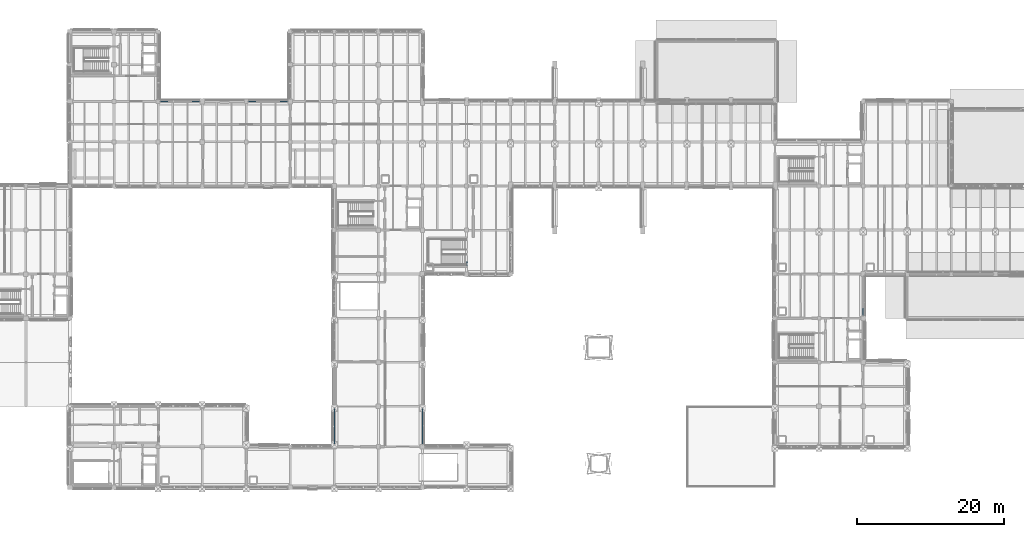
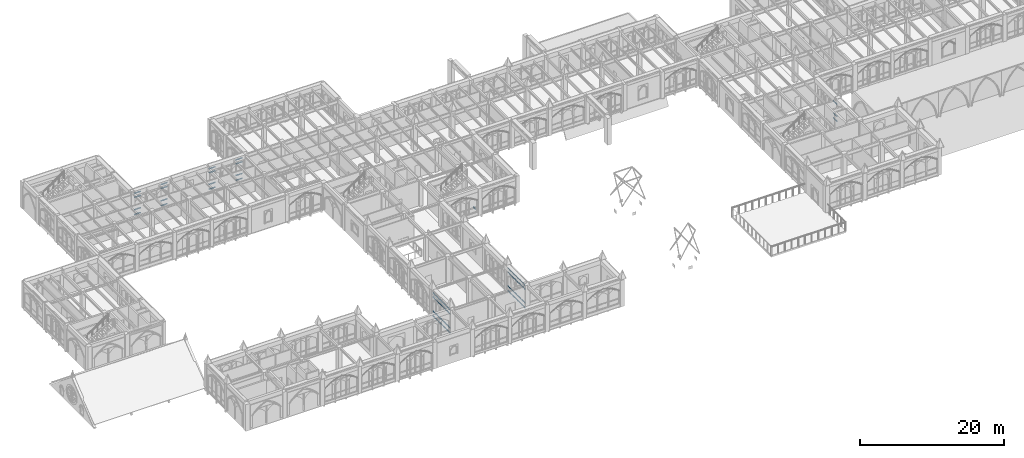
# One storey, part 81 of 143: 59 members, 1 beam, 5 elements without a shape of their own.
"""IFC4 building model written with IfcOpenShell, lengths in metres."""

import ifcopenshell
import ifcopenshell.guid

model = None  # the IFC model being written
_history = None  # IfcOwnerHistory: only IFC2X3 demands one
_inside = {}  # id of a spatial element -> (the spatial element, [elements in it])
_under = {}  # id of a project, library or spatial element -> (it, [spatial elements below it])
_declared = {}  # id of a project -> (the project, [libraries it declares])
_typed = {}  # id of a type object -> (the type object, [elements of that type])
_made_of = {}  # id of a material, layer set ... -> (it, [elements and type objects made of it])


def new_model(schema):
    """Start an empty IFC model of exactly this schema.

    Asked for "IFC4X3", IfcOpenShell would pick the latest addendum, in which some entities
    have other attributes; the version numbers below select the first issue.
    IFC2X3 requires an IfcOwnerHistory on every rooted entity: one is made here for all.
    """
    global model, _history
    if schema == "IFC4X3":
        model = ifcopenshell.file(schema_version=(4, 3, 0, 0))
    else:
        model = ifcopenshell.file(schema=schema)
    _inside.clear()
    _under.clear()
    _declared.clear()
    _typed.clear()
    _made_of.clear()
    _history = None
    if model.schema == "IFC2X3":
        org = make("IfcOrganization", Name="unknown")
        user = make(
            "IfcPersonAndOrganization",
            ThePerson=make("IfcPerson", FamilyName="unknown"),
            TheOrganization=org,
        )
        app = make(
            "IfcApplication",
            ApplicationDeveloper=org,
            Version="unknown",
            ApplicationFullName="unknown",
            ApplicationIdentifier="unknown",
        )
        _history = make(
            "IfcOwnerHistory",
            OwningUser=user,
            OwningApplication=app,
            ChangeAction="ADDED",
            CreationDate=0,
        )
    return model


def make(cls, **values):
    """One entity of the class cls with the attributes given. An attribute that is None is left unset."""
    return model.create_entity(
        cls, **{name: value for name, value in values.items() if value is not None}
    )


def rooted(cls, **values):
    """An entity with a GlobalId (a new one), such as an element, a storey or a relation."""
    return make(cls, GlobalId=ifcopenshell.guid.new(), OwnerHistory=_history, **values)


def si_unit(unit_type, name, prefix=None):
    """IfcSIUnit, for example si_unit("LENGTHUNIT", "METRE", prefix="MILLI")."""
    return make("IfcSIUnit", UnitType=unit_type, Prefix=prefix, Name=name)


def assignment(units):
    """IfcUnitAssignment: the units of a project."""
    return None if units is None else make("IfcUnitAssignment", Units=units)


def point(xyz):
    """IfcCartesianPoint."""
    return None if xyz is None else make("IfcCartesianPoint", Coordinates=xyz)


def direction(xyz):
    """IfcDirection."""
    return None if xyz is None else make("IfcDirection", DirectionRatios=xyz)


def frame(location, z_axis=None, x_axis=None):
    """IfcAxis2Placement3D, a coordinate frame: its origin and axes. An axis left out is left unset."""
    return make(
        "IfcAxis2Placement3D",
        Location=point(location),
        Axis=direction(z_axis),
        RefDirection=direction(x_axis),
    )


def frame_2d(location, x_axis=None):
    """IfcAxis2Placement2D, a coordinate frame in the plane: its origin and x axis."""
    return make(
        "IfcAxis2Placement2D", Location=point(location), RefDirection=direction(x_axis)
    )


def origin():
    """The frame at (0, 0, 0) with its axes left unset."""
    return frame((0.0, 0.0, 0.0))


def origin_2d():
    """The frame at (0, 0) in the plane with its x axis left unset."""
    return frame_2d((0.0, 0.0))


def place(relative_to, where):
    """IfcLocalPlacement: puts the frame where relative to a parent placement (None: the world)."""
    return make(
        "IfcLocalPlacement", PlacementRelTo=relative_to, RelativePlacement=where
    )


def context(
    kind, dimensions, precision=None, world=None, true_north=None, identifier=None
):
    """IfcGeometricRepresentationContext, for example the 3D "Model" context."""
    return make(
        "IfcGeometricRepresentationContext",
        ContextIdentifier=identifier,
        ContextType=kind,
        CoordinateSpaceDimension=dimensions,
        Precision=precision,
        WorldCoordinateSystem=world,
        TrueNorth=true_north,
    )


def subcontext(parent, identifier, kind, view, scale=None):
    """IfcGeometricRepresentationSubContext, for example "Body" below "Model"."""
    return make(
        "IfcGeometricRepresentationSubContext",
        ContextIdentifier=identifier,
        ContextType=kind,
        ParentContext=parent,
        TargetScale=scale,
        TargetView=view,
    )


def project(units=None, contexts=None):
    """IfcProject with its units and contexts."""
    return rooted(
        "IfcProject",
        Name="project",
        RepresentationContexts=contexts,
        UnitsInContext=assignment(units),
    )


def spatial(cls, under=None, at=None, **own):
    """A site, building, storey or space (cls), placed at a placement, below another one or the project."""
    s = rooted(cls, ObjectPlacement=at, **own)
    if under is not None:
        _under.setdefault(under.id(), (under, []))[1].append(s)
    return s


def profile(cls, at=None, kind="AREA", **sizes):
    """A parametric profile (cls). Its sizes go by their IFC names, for example OverallWidth=200.0."""
    return make(cls, ProfileType=kind, Position=at, **sizes)


def hollow_rectangle(**sizes):
    """IfcRectangleHollowProfileDef."""
    return profile("IfcRectangleHollowProfileDef", **sizes)


def i_section(**sizes):
    """IfcIShapeProfileDef."""
    return profile("IfcIShapeProfileDef", **sizes)


def extrude(swept, where, along, depth):
    """IfcExtrudedAreaSolid: the profile swept, set in the frame where, extruded along a direction by depth."""
    return make(
        "IfcExtrudedAreaSolid",
        SweptArea=swept,
        Position=where,
        ExtrudedDirection=direction(along),
        Depth=depth,
    )


def shape(context_of_items, identifier, shape_type, items):
    """IfcShapeRepresentation: the items that make up one representation, for example the "Body"."""
    return make(
        "IfcShapeRepresentation",
        ContextOfItems=context_of_items,
        RepresentationIdentifier=identifier,
        RepresentationType=shape_type,
        Items=items,
    )


def material(Name=None, Category=None):
    """IfcMaterial."""
    return make("IfcMaterial", Name=Name, Category=Category)


def layer(
    of_material, thickness, ventilated=None, Name=None, Category=None, Priority=None
):
    """IfcMaterialLayer: one layer of a wall or slab, of a material (None: an air gap)."""
    return make(
        "IfcMaterialLayer",
        Material=of_material,
        LayerThickness=thickness,
        IsVentilated=ventilated,
        Name=Name,
        Category=Category,
        Priority=Priority,
    )


def layer_set(layers, Name=None):
    """IfcMaterialLayerSet."""
    return make("IfcMaterialLayerSet", MaterialLayers=layers, LayerSetName=Name)


def material_profile(
    of_material, cross_section, Name=None, Category=None, Priority=None
):
    """IfcMaterialProfile: a cross section and its material."""
    return make(
        "IfcMaterialProfile",
        Name=Name,
        Material=of_material,
        Profile=cross_section,
        Priority=Priority,
        Category=Category,
    )


def profile_set(profiles, Name=None, composite=None):
    """IfcMaterialProfileSet."""
    return make(
        "IfcMaterialProfileSet",
        Name=Name,
        MaterialProfiles=profiles,
        CompositeProfile=composite,
    )


def made_of(thing, what):
    """Note that an element or type object is made of a material, layer set ...; save() writes the relation."""
    if what is not None:
        _made_of.setdefault(what.id(), (what, []))[1].append(thing)
    return thing


def type_object(cls, material=None, **own):
    """A type object (cls), such as IfcWallType, which elements share."""
    return made_of(rooted(cls, **own), material)


def element(
    cls,
    number,
    at=None,
    inside=None,
    cuts=None,
    type_object=None,
    material=None,
    context=None,
    identifier="Body",
    shape_type=None,
    held_by="IfcProductDefinitionShape",
    body=None,
    shapes=None,
    **own,
):
    """One element of the class cls, such as IfcWall. Its Tag is "e" and its number.

    at: its placement. inside: the storey or other place that contains it. cuts: it is an
    opening in that element (IfcRelVoidsElement). A single representation is given by context,
    identifier, shape_type and body (its items); several are given by shapes. held_by: the class
    of the entity that holds the representations. save() writes the other relations.
    """
    e = rooted(cls, Tag="e%d" % number, ObjectPlacement=at, **own)
    if body is not None:
        shapes = [shape(context, identifier, shape_type, body)]
    if shapes is not None:
        e.Representation = make(held_by, Representations=shapes)
    if inside is not None:
        _inside.setdefault(inside.id(), (inside, []))[1].append(e)
    if cuts is not None:
        rooted(
            "IfcRelVoidsElement", RelatingBuildingElement=cuts, RelatedOpeningElement=e
        )
    if type_object is not None:
        _typed.setdefault(type_object.id(), (type_object, []))[1].append(e)
    return made_of(e, material)


def aggregate(whole, parts):
    """IfcRelAggregates: a whole, such as a stair, and the parts it consists of."""
    return rooted("IfcRelAggregates", RelatingObject=whole, RelatedObjects=parts)


def save(model, path):
    """Write the relations noted so far, then the file.

    IfcRelAggregates (storeys below a building ...), IfcRelContainedInSpatialStructure (elements
    in a storey), IfcRelDefinesByType, IfcRelAssociatesMaterial and IfcRelDeclares: one each for
    every whole, place, type object, material and project.
    """
    for whole, parts in _under.values():
        aggregate(whole, parts)
    for where, things in _inside.values():
        rooted(
            "IfcRelContainedInSpatialStructure",
            RelatedElements=things,
            RelatingStructure=where,
        )
    for kind, things in _typed.values():
        rooted("IfcRelDefinesByType", RelatedObjects=things, RelatingType=kind)
    for what, things in _made_of.values():
        rooted("IfcRelAssociatesMaterial", RelatedObjects=things, RelatingMaterial=what)
    for by, libraries in _declared.values():
        rooted("IfcRelDeclares", RelatingContext=by, RelatedDefinitions=libraries)
    model.write(path)


model = new_model("IFC4")

# Units and contexts
model_context = context("Model", 3, precision=1e-05, world=origin(), true_north=direction((0.0, 1.0)))
body_context = subcontext(model_context, "Body", "Model", "MODEL_VIEW")
ifc_project = project(units=[si_unit("LENGTHUNIT", "METRE"), si_unit("AREAUNIT", "SQUARE_METRE"), si_unit("VOLUMEUNIT", "CUBIC_METRE"), si_unit("PLANEANGLEUNIT", "RADIAN"), si_unit("MASSUNIT", "GRAM", prefix="KILO")], contexts=[model_context])

# Site, building, storey
site_placement = place(None, origin())
site = spatial("IfcSite", under=ifc_project, at=site_placement, CompositionType="ELEMENT")
building_placement = place(site_placement, origin())
building = spatial("IfcBuilding", under=site, at=building_placement, Name="Cumevento Cable Car Station", CompositionType="ELEMENT")
storey_placement = place(building_placement, frame((0.0, 0.0, 9.0)))
storey = spatial("IfcBuildingStorey", under=building, at=storey_placement, Name="L03", CompositionType="ELEMENT", Elevation=9.0)

# Curtain wall, members
ifc_material_1 = material(Name="Anodised Bronze Aluminium AW-6063-T6", Category="aluminium")
ifc_layer_1 = layer(ifc_material_1, 0.159912109375)
ifc_layer_set_1 = layer_set([ifc_layer_1], Name="Anodised Bronze Aluminium AW-6063-T6")
curtain_wall_type_1 = type_object("IfcCurtainWallType", Name="Lancet Curtain Wall CW-01 1050", PredefinedType="NOTDEFINED", material=ifc_layer_set_1)
curtain_wall_1_placement = place(storey_placement, origin())
curtain_wall_1 = element("IfcCurtainWall", 1, at=curtain_wall_1_placement, inside=storey, type_object=curtain_wall_type_1, Name="Lancet Curtain Wall CW-01 L03 #80", PredefinedType="NOTDEFINED")
ifc_material_2 = material(Name="Anodised Bronze Aluminium AW-6063-T6", Category="aluminium")
ifc_material_profile_1 = material_profile(ifc_material_2, hollow_rectangle(XDim=0.06494140625, YDim=0.1201171875, WallThickness=0.00390625, at=origin_2d()), Name="ALUT65x120x4")
ifc_profile_set_1 = profile_set([ifc_material_profile_1], Name="Anodised Bronze Aluminium AW-6063-T6")
member_type = type_object("IfcMemberType", Name="Curtain Transom CWT-01 ALUT65x120x4", PredefinedType="USERDEFINED", material=ifc_profile_set_1)
member_1_placement = place(storey_placement, frame((58.0, 9.889892578125, 0.1923828125), z_axis=(0.0, 1.0, 0.0), x_axis=(-1.0, 0.0, 0.0)))
member_1 = element("IfcMember", 2, at=member_1_placement, type_object=member_type, Name="CW-01 transom 1.1", ObjectType="TRANSOM", PredefinedType="USERDEFINED", context=body_context, shape_type="SweptSolid", body=[
    extrude(hollow_rectangle(XDim=0.06494140625, YDim=0.1201171875, WallThickness=0.00390625, at=origin_2d()), origin(), (0.0, 0.0, 1.0), 0.8876953125),
])
member_2_placement = place(storey_placement, frame((58.0, 9.889892578125, 1.010009765625), z_axis=(0.0, 1.0, 0.0), x_axis=(-1.0, 0.0, 0.0)))
member_2 = element("IfcMember", 3, at=member_2_placement, type_object=member_type, Name="CW-01 transom 1.2", ObjectType="TRANSOM", PredefinedType="USERDEFINED", context=body_context, shape_type="SweptSolid", body=[
    extrude(hollow_rectangle(XDim=0.06494140625, YDim=0.1201171875, WallThickness=0.00390625, at=origin_2d()), origin(), (0.0, 0.0, 1.0), 0.8876953125),
])
member_3_placement = place(storey_placement, frame((58.0, 9.889892578125, 3.39306640625), z_axis=(0.0, 1.0, 0.0), x_axis=(-1.0, 0.0, 0.0)))
member_3 = element("IfcMember", 4, at=member_3_placement, type_object=member_type, Name="CW-01 transom 1.3", ObjectType="TRANSOM", PredefinedType="USERDEFINED", context=body_context, shape_type="SweptSolid", body=[
    extrude(hollow_rectangle(XDim=0.06494140625, YDim=0.1201171875, WallThickness=0.00390625, at=origin_2d()), origin(), (0.0, 0.0, 1.0), 0.8876953125),
])
member_4_placement = place(storey_placement, frame((58.0, 9.889892578125, 4.060546875), z_axis=(0.0, 1.0, 0.0), x_axis=(-1.0, 0.0, 0.0)))
member_4 = element("IfcMember", 5, at=member_4_placement, type_object=member_type, Name="CW-01 transom 1.4", ObjectType="TRANSOM", PredefinedType="USERDEFINED", context=body_context, shape_type="SweptSolid", body=[
    extrude(hollow_rectangle(XDim=0.06494140625, YDim=0.1201171875, WallThickness=0.00390625, at=origin_2d()), origin(), (0.0, 0.0, 1.0), 0.8876953125),
])
member_5_placement = place(storey_placement, frame((58.0, 10.842529296875, 0.1923828125), z_axis=(0.0, 1.0, 0.0), x_axis=(-1.0, 0.0, 0.0)))
member_5 = element("IfcMember", 6, at=member_5_placement, type_object=member_type, Name="CW-01 transom 2.1", ObjectType="TRANSOM", PredefinedType="USERDEFINED", context=body_context, shape_type="SweptSolid", body=[
    extrude(hollow_rectangle(XDim=0.06494140625, YDim=0.1201171875, WallThickness=0.00390625, at=origin_2d()), origin(), (0.0, 0.0, 1.0), 0.919921875),
])
member_6_placement = place(storey_placement, frame((58.0, 10.842529296875, 1.010009765625), z_axis=(0.0, 1.0, 0.0), x_axis=(-1.0, 0.0, 0.0)))
member_6 = element("IfcMember", 7, at=member_6_placement, type_object=member_type, Name="CW-01 transom 2.2", ObjectType="TRANSOM", PredefinedType="USERDEFINED", context=body_context, shape_type="SweptSolid", body=[
    extrude(hollow_rectangle(XDim=0.06494140625, YDim=0.1201171875, WallThickness=0.00390625, at=origin_2d()), origin(), (0.0, 0.0, 1.0), 0.919921875),
])
member_7_placement = place(storey_placement, frame((58.0, 10.842529296875, 3.39306640625), z_axis=(0.0, 1.0, 0.0), x_axis=(-1.0, 0.0, 0.0)))
member_7 = element("IfcMember", 8, at=member_7_placement, type_object=member_type, Name="CW-01 transom 2.3", ObjectType="TRANSOM", PredefinedType="USERDEFINED", context=body_context, shape_type="SweptSolid", body=[
    extrude(hollow_rectangle(XDim=0.06494140625, YDim=0.1201171875, WallThickness=0.00390625, at=origin_2d()), origin(), (0.0, 0.0, 1.0), 0.919921875),
])
member_8_placement = place(storey_placement, frame((58.0, 10.842529296875, 4.060546875), z_axis=(0.0, 1.0, 0.0), x_axis=(-1.0, 0.0, 0.0)))
member_8 = element("IfcMember", 9, at=member_8_placement, type_object=member_type, Name="CW-01 transom 2.4", ObjectType="TRANSOM", PredefinedType="USERDEFINED", context=body_context, shape_type="SweptSolid", body=[
    extrude(hollow_rectangle(XDim=0.06494140625, YDim=0.1201171875, WallThickness=0.00390625, at=origin_2d()), origin(), (0.0, 0.0, 1.0), 0.919921875),
])
member_9_placement = place(storey_placement, frame((58.0, 11.827392578125, 0.1923828125), z_axis=(0.0, 1.0, 0.0), x_axis=(-1.0, 0.0, 0.0)))
member_9 = element("IfcMember", 10, at=member_9_placement, type_object=member_type, Name="CW-01 transom 3.1", ObjectType="TRANSOM", PredefinedType="USERDEFINED", context=body_context, shape_type="SweptSolid", body=[
    extrude(hollow_rectangle(XDim=0.06494140625, YDim=0.1201171875, WallThickness=0.00390625, at=origin_2d()), origin(), (0.0, 0.0, 1.0), 0.920166015625),
])
member_10_placement = place(storey_placement, frame((58.0, 11.827392578125, 1.010009765625), z_axis=(0.0, 1.0, 0.0), x_axis=(-1.0, 0.0, 0.0)))
member_10 = element("IfcMember", 11, at=member_10_placement, type_object=member_type, Name="CW-01 transom 3.2", ObjectType="TRANSOM", PredefinedType="USERDEFINED", context=body_context, shape_type="SweptSolid", body=[
    extrude(hollow_rectangle(XDim=0.06494140625, YDim=0.1201171875, WallThickness=0.00390625, at=origin_2d()), origin(), (0.0, 0.0, 1.0), 0.920166015625),
])
member_11_placement = place(storey_placement, frame((58.0, 11.827392578125, 3.39306640625), z_axis=(0.0, 1.0, 0.0), x_axis=(-1.0, 0.0, 0.0)))
member_11 = element("IfcMember", 12, at=member_11_placement, type_object=member_type, Name="CW-01 transom 3.3", ObjectType="TRANSOM", PredefinedType="USERDEFINED", context=body_context, shape_type="SweptSolid", body=[
    extrude(hollow_rectangle(XDim=0.06494140625, YDim=0.1201171875, WallThickness=0.00390625, at=origin_2d()), origin(), (0.0, 0.0, 1.0), 0.920166015625),
])
member_12_placement = place(storey_placement, frame((58.0, 11.827392578125, 4.060546875), z_axis=(0.0, 1.0, 0.0), x_axis=(-1.0, 0.0, 0.0)))
member_12 = element("IfcMember", 13, at=member_12_placement, type_object=member_type, Name="CW-01 transom 3.4", ObjectType="TRANSOM", PredefinedType="USERDEFINED", context=body_context, shape_type="SweptSolid", body=[
    extrude(hollow_rectangle(XDim=0.06494140625, YDim=0.1201171875, WallThickness=0.00390625, at=origin_2d()), origin(), (0.0, 0.0, 1.0), 0.920166015625),
])
member_13_placement = place(storey_placement, frame((58.0, 12.8125, 0.1923828125), z_axis=(0.0, 1.0, 0.0), x_axis=(-1.0, 0.0, 0.0)))
member_13 = element("IfcMember", 14, at=member_13_placement, type_object=member_type, Name="CW-01 transom 4.1", ObjectType="TRANSOM", PredefinedType="USERDEFINED", context=body_context, shape_type="SweptSolid", body=[
    extrude(hollow_rectangle(XDim=0.06494140625, YDim=0.1201171875, WallThickness=0.00390625, at=origin_2d()), origin(), (0.0, 0.0, 1.0), 0.919921875),
])
member_14_placement = place(storey_placement, frame((58.0, 12.8125, 1.010009765625), z_axis=(0.0, 1.0, 0.0), x_axis=(-1.0, 0.0, 0.0)))
member_14 = element("IfcMember", 15, at=member_14_placement, type_object=member_type, Name="CW-01 transom 4.2", ObjectType="TRANSOM", PredefinedType="USERDEFINED", context=body_context, shape_type="SweptSolid", body=[
    extrude(hollow_rectangle(XDim=0.06494140625, YDim=0.1201171875, WallThickness=0.00390625, at=origin_2d()), origin(), (0.0, 0.0, 1.0), 0.919921875),
])
member_15_placement = place(storey_placement, frame((58.0, 12.8125, 3.39306640625), z_axis=(0.0, 1.0, 0.0), x_axis=(-1.0, 0.0, 0.0)))
member_15 = element("IfcMember", 16, at=member_15_placement, type_object=member_type, Name="CW-01 transom 4.3", ObjectType="TRANSOM", PredefinedType="USERDEFINED", context=body_context, shape_type="SweptSolid", body=[
    extrude(hollow_rectangle(XDim=0.06494140625, YDim=0.1201171875, WallThickness=0.00390625, at=origin_2d()), origin(), (0.0, 0.0, 1.0), 0.919921875),
])
member_16_placement = place(storey_placement, frame((58.0, 12.8125, 4.060546875), z_axis=(0.0, 1.0, 0.0), x_axis=(-1.0, 0.0, 0.0)))
member_16 = element("IfcMember", 17, at=member_16_placement, type_object=member_type, Name="CW-01 transom 4.4", ObjectType="TRANSOM", PredefinedType="USERDEFINED", context=body_context, shape_type="SweptSolid", body=[
    extrude(hollow_rectangle(XDim=0.06494140625, YDim=0.1201171875, WallThickness=0.00390625, at=origin_2d()), origin(), (0.0, 0.0, 1.0), 0.919921875),
])
member_17_placement = place(storey_placement, frame((58.0, 13.797607421875, 0.1923828125), z_axis=(0.0, 1.0, 0.0), x_axis=(-1.0, 0.0, 0.0)))
member_17 = element("IfcMember", 18, at=member_17_placement, type_object=member_type, Name="CW-01 transom 5.1", ObjectType="TRANSOM", PredefinedType="USERDEFINED", context=body_context, shape_type="SweptSolid", body=[
    extrude(hollow_rectangle(XDim=0.06494140625, YDim=0.1201171875, WallThickness=0.00390625, at=origin_2d()), origin(), (0.0, 0.0, 1.0), 0.887451171875),
])
member_18_placement = place(storey_placement, frame((58.0, 13.797607421875, 1.010009765625), z_axis=(0.0, 1.0, 0.0), x_axis=(-1.0, 0.0, 0.0)))
member_18 = element("IfcMember", 19, at=member_18_placement, type_object=member_type, Name="CW-01 transom 5.2", ObjectType="TRANSOM", PredefinedType="USERDEFINED", context=body_context, shape_type="SweptSolid", body=[
    extrude(hollow_rectangle(XDim=0.06494140625, YDim=0.1201171875, WallThickness=0.00390625, at=origin_2d()), origin(), (0.0, 0.0, 1.0), 0.887451171875),
])
member_19_placement = place(storey_placement, frame((58.0, 13.797607421875, 3.39306640625), z_axis=(0.0, 1.0, 0.0), x_axis=(-1.0, 0.0, 0.0)))
member_19 = element("IfcMember", 20, at=member_19_placement, type_object=member_type, Name="CW-01 transom 5.3", ObjectType="TRANSOM", PredefinedType="USERDEFINED", context=body_context, shape_type="SweptSolid", body=[
    extrude(hollow_rectangle(XDim=0.06494140625, YDim=0.1201171875, WallThickness=0.00390625, at=origin_2d()), origin(), (0.0, 0.0, 1.0), 0.887451171875),
])
member_20_placement = place(storey_placement, frame((58.0, 13.797607421875, 4.060546875), z_axis=(0.0, 1.0, 0.0), x_axis=(-1.0, 0.0, 0.0)))
member_20 = element("IfcMember", 21, at=member_20_placement, type_object=member_type, Name="CW-01 transom 5.4", ObjectType="TRANSOM", PredefinedType="USERDEFINED", context=body_context, shape_type="SweptSolid", body=[
    extrude(hollow_rectangle(XDim=0.06494140625, YDim=0.1201171875, WallThickness=0.00390625, at=origin_2d()), origin(), (0.0, 0.0, 1.0), 0.887451171875),
])
aggregate(curtain_wall_1, [member_1, member_2, member_3, member_4, member_5, member_6, member_7, member_8, member_9, member_10, member_11, member_12, member_13, member_14, member_15, member_16, member_17, member_18, member_19, member_20])

ifc_material_3 = material(Name="Anodised Bronze Aluminium AW-6063-T6", Category="aluminium")
ifc_layer_2 = layer(ifc_material_3, 0.166015625)
ifc_layer_set_2 = layer_set([ifc_layer_2], Name="Anodised Bronze Aluminium AW-6063-T6")
curtain_wall_type_2 = type_object("IfcCurtainWallType", Name="Lancet Curtain Wall CW-02 1090", PredefinedType="NOTDEFINED", material=ifc_layer_set_2)
curtain_wall_2_placement = place(storey_placement, origin())
curtain_wall_2 = element("IfcCurtainWall", 22, at=curtain_wall_2_placement, inside=storey, type_object=curtain_wall_type_2, Name="Lancet Curtain Wall CW-02 L03 #81", PredefinedType="NOTDEFINED")
member_21_placement = place(storey_placement, frame((70.0, 14.68505859375, 0.242431640625), z_axis=(0.0, -1.0, 0.0), x_axis=(1.0, 0.0, 0.0)))
member_21 = element("IfcMember", 23, at=member_21_placement, type_object=member_type, Name="CW-02 transom 1.1", ObjectType="TRANSOM", PredefinedType="USERDEFINED", context=body_context, shape_type="SweptSolid", body=[
    extrude(hollow_rectangle(XDim=0.06494140625, YDim=0.1201171875, WallThickness=0.00390625, at=origin_2d()), origin(), (0.0, 0.0, 1.0), 0.887451171875),
])
member_22_placement = place(storey_placement, frame((70.0, 14.68505859375, 1.06005859375), z_axis=(0.0, -1.0, 0.0), x_axis=(1.0, 0.0, 0.0)))
member_22 = element("IfcMember", 24, at=member_22_placement, type_object=member_type, Name="CW-02 transom 1.2", ObjectType="TRANSOM", PredefinedType="USERDEFINED", context=body_context, shape_type="SweptSolid", body=[
    extrude(hollow_rectangle(XDim=0.06494140625, YDim=0.1201171875, WallThickness=0.00390625, at=origin_2d()), origin(), (0.0, 0.0, 1.0), 0.887451171875),
])
member_23_placement = place(storey_placement, frame((70.0, 14.68505859375, 3.39306640625), z_axis=(0.0, -1.0, 0.0), x_axis=(1.0, 0.0, 0.0)))
member_23 = element("IfcMember", 25, at=member_23_placement, type_object=member_type, Name="CW-02 transom 1.3", ObjectType="TRANSOM", PredefinedType="USERDEFINED", context=body_context, shape_type="SweptSolid", body=[
    extrude(hollow_rectangle(XDim=0.06494140625, YDim=0.1201171875, WallThickness=0.00390625, at=origin_2d()), origin(), (0.0, 0.0, 1.0), 0.887451171875),
])
member_24_placement = place(storey_placement, frame((70.0, 14.68505859375, 4.060546875), z_axis=(0.0, -1.0, 0.0), x_axis=(1.0, 0.0, 0.0)))
member_24 = element("IfcMember", 26, at=member_24_placement, type_object=member_type, Name="CW-02 transom 1.4", ObjectType="TRANSOM", PredefinedType="USERDEFINED", context=body_context, shape_type="SweptSolid", body=[
    extrude(hollow_rectangle(XDim=0.06494140625, YDim=0.1201171875, WallThickness=0.00390625, at=origin_2d()), origin(), (0.0, 0.0, 1.0), 0.887451171875),
])
member_25_placement = place(storey_placement, frame((70.0, 13.732421875, 0.242431640625), z_axis=(0.0, -1.0, 0.0), x_axis=(1.0, 0.0, 0.0)))
member_25 = element("IfcMember", 27, at=member_25_placement, type_object=member_type, Name="CW-02 transom 2.1", ObjectType="TRANSOM", PredefinedType="USERDEFINED", context=body_context, shape_type="SweptSolid", body=[
    extrude(hollow_rectangle(XDim=0.06494140625, YDim=0.1201171875, WallThickness=0.00390625, at=origin_2d()), origin(), (0.0, 0.0, 1.0), 0.919921875),
])
member_26_placement = place(storey_placement, frame((70.0, 13.732421875, 1.06005859375), z_axis=(0.0, -1.0, 0.0), x_axis=(1.0, 0.0, 0.0)))
member_26 = element("IfcMember", 28, at=member_26_placement, type_object=member_type, Name="CW-02 transom 2.2", ObjectType="TRANSOM", PredefinedType="USERDEFINED", context=body_context, shape_type="SweptSolid", body=[
    extrude(hollow_rectangle(XDim=0.06494140625, YDim=0.1201171875, WallThickness=0.00390625, at=origin_2d()), origin(), (0.0, 0.0, 1.0), 0.919921875),
])
member_27_placement = place(storey_placement, frame((70.0, 13.732421875, 3.39306640625), z_axis=(0.0, -1.0, 0.0), x_axis=(1.0, 0.0, 0.0)))
member_27 = element("IfcMember", 29, at=member_27_placement, type_object=member_type, Name="CW-02 transom 2.3", ObjectType="TRANSOM", PredefinedType="USERDEFINED", context=body_context, shape_type="SweptSolid", body=[
    extrude(hollow_rectangle(XDim=0.06494140625, YDim=0.1201171875, WallThickness=0.00390625, at=origin_2d()), origin(), (0.0, 0.0, 1.0), 0.919921875),
])
member_28_placement = place(storey_placement, frame((70.0, 13.732421875, 4.060546875), z_axis=(0.0, -1.0, 0.0), x_axis=(1.0, 0.0, 0.0)))
member_28 = element("IfcMember", 30, at=member_28_placement, type_object=member_type, Name="CW-02 transom 2.4", ObjectType="TRANSOM", PredefinedType="USERDEFINED", context=body_context, shape_type="SweptSolid", body=[
    extrude(hollow_rectangle(XDim=0.06494140625, YDim=0.1201171875, WallThickness=0.00390625, at=origin_2d()), origin(), (0.0, 0.0, 1.0), 0.919921875),
])
member_29_placement = place(storey_placement, frame((70.0, 12.74755859375, 0.242431640625), z_axis=(0.0, -1.0, 0.0), x_axis=(1.0, 0.0, 0.0)))
member_29 = element("IfcMember", 31, at=member_29_placement, type_object=member_type, Name="CW-02 transom 3.1", ObjectType="TRANSOM", PredefinedType="USERDEFINED", context=body_context, shape_type="SweptSolid", body=[
    extrude(hollow_rectangle(XDim=0.06494140625, YDim=0.1201171875, WallThickness=0.00390625, at=origin_2d()), origin(), (0.0, 0.0, 1.0), 0.920166015625),
])
member_30_placement = place(storey_placement, frame((70.0, 12.74755859375, 1.06005859375), z_axis=(0.0, -1.0, 0.0), x_axis=(1.0, 0.0, 0.0)))
member_30 = element("IfcMember", 32, at=member_30_placement, type_object=member_type, Name="CW-02 transom 3.2", ObjectType="TRANSOM", PredefinedType="USERDEFINED", context=body_context, shape_type="SweptSolid", body=[
    extrude(hollow_rectangle(XDim=0.06494140625, YDim=0.1201171875, WallThickness=0.00390625, at=origin_2d()), origin(), (0.0, 0.0, 1.0), 0.920166015625),
])
member_31_placement = place(storey_placement, frame((70.0, 12.74755859375, 3.39306640625), z_axis=(0.0, -1.0, 0.0), x_axis=(1.0, 0.0, 0.0)))
member_31 = element("IfcMember", 33, at=member_31_placement, type_object=member_type, Name="CW-02 transom 3.3", ObjectType="TRANSOM", PredefinedType="USERDEFINED", context=body_context, shape_type="SweptSolid", body=[
    extrude(hollow_rectangle(XDim=0.06494140625, YDim=0.1201171875, WallThickness=0.00390625, at=origin_2d()), origin(), (0.0, 0.0, 1.0), 0.920166015625),
])
member_32_placement = place(storey_placement, frame((70.0, 12.74755859375, 4.060546875), z_axis=(0.0, -1.0, 0.0), x_axis=(1.0, 0.0, 0.0)))
member_32 = element("IfcMember", 34, at=member_32_placement, type_object=member_type, Name="CW-02 transom 3.4", ObjectType="TRANSOM", PredefinedType="USERDEFINED", context=body_context, shape_type="SweptSolid", body=[
    extrude(hollow_rectangle(XDim=0.06494140625, YDim=0.1201171875, WallThickness=0.00390625, at=origin_2d()), origin(), (0.0, 0.0, 1.0), 0.920166015625),
])
member_33_placement = place(storey_placement, frame((70.0, 11.762451171875, 0.242431640625), z_axis=(0.0, -1.0, 0.0), x_axis=(1.0, 0.0, 0.0)))
member_33 = element("IfcMember", 35, at=member_33_placement, type_object=member_type, Name="CW-02 transom 4.1", ObjectType="TRANSOM", PredefinedType="USERDEFINED", context=body_context, shape_type="SweptSolid", body=[
    extrude(hollow_rectangle(XDim=0.06494140625, YDim=0.1201171875, WallThickness=0.00390625, at=origin_2d()), origin(), (0.0, 0.0, 1.0), 0.919921875),
])
member_34_placement = place(storey_placement, frame((70.0, 11.762451171875, 1.06005859375), z_axis=(0.0, -1.0, 0.0), x_axis=(1.0, 0.0, 0.0)))
member_34 = element("IfcMember", 36, at=member_34_placement, type_object=member_type, Name="CW-02 transom 4.2", ObjectType="TRANSOM", PredefinedType="USERDEFINED", context=body_context, shape_type="SweptSolid", body=[
    extrude(hollow_rectangle(XDim=0.06494140625, YDim=0.1201171875, WallThickness=0.00390625, at=origin_2d()), origin(), (0.0, 0.0, 1.0), 0.919921875),
])
member_35_placement = place(storey_placement, frame((70.0, 11.762451171875, 3.39306640625), z_axis=(0.0, -1.0, 0.0), x_axis=(1.0, 0.0, 0.0)))
member_35 = element("IfcMember", 37, at=member_35_placement, type_object=member_type, Name="CW-02 transom 4.3", ObjectType="TRANSOM", PredefinedType="USERDEFINED", context=body_context, shape_type="SweptSolid", body=[
    extrude(hollow_rectangle(XDim=0.06494140625, YDim=0.1201171875, WallThickness=0.00390625, at=origin_2d()), origin(), (0.0, 0.0, 1.0), 0.919921875),
])
member_36_placement = place(storey_placement, frame((70.0, 11.762451171875, 4.060546875), z_axis=(0.0, -1.0, 0.0), x_axis=(1.0, 0.0, 0.0)))
member_36 = element("IfcMember", 38, at=member_36_placement, type_object=member_type, Name="CW-02 transom 4.4", ObjectType="TRANSOM", PredefinedType="USERDEFINED", context=body_context, shape_type="SweptSolid", body=[
    extrude(hollow_rectangle(XDim=0.06494140625, YDim=0.1201171875, WallThickness=0.00390625, at=origin_2d()), origin(), (0.0, 0.0, 1.0), 0.919921875),
])
member_37_placement = place(storey_placement, frame((70.0, 10.777587890625, 0.242431640625), z_axis=(0.0, -1.0, 0.0), x_axis=(1.0, 0.0, 0.0)))
member_37 = element("IfcMember", 39, at=member_37_placement, type_object=member_type, Name="CW-02 transom 5.1", ObjectType="TRANSOM", PredefinedType="USERDEFINED", context=body_context, shape_type="SweptSolid", body=[
    extrude(hollow_rectangle(XDim=0.06494140625, YDim=0.1201171875, WallThickness=0.00390625, at=origin_2d()), origin(), (0.0, 0.0, 1.0), 0.8876953125),
])
member_38_placement = place(storey_placement, frame((70.0, 10.777587890625, 1.06005859375), z_axis=(0.0, -1.0, 0.0), x_axis=(1.0, 0.0, 0.0)))
member_38 = element("IfcMember", 40, at=member_38_placement, type_object=member_type, Name="CW-02 transom 5.2", ObjectType="TRANSOM", PredefinedType="USERDEFINED", context=body_context, shape_type="SweptSolid", body=[
    extrude(hollow_rectangle(XDim=0.06494140625, YDim=0.1201171875, WallThickness=0.00390625, at=origin_2d()), origin(), (0.0, 0.0, 1.0), 0.8876953125),
])
member_39_placement = place(storey_placement, frame((70.0, 10.777587890625, 3.39306640625), z_axis=(0.0, -1.0, 0.0), x_axis=(1.0, 0.0, 0.0)))
member_39 = element("IfcMember", 41, at=member_39_placement, type_object=member_type, Name="CW-02 transom 5.3", ObjectType="TRANSOM", PredefinedType="USERDEFINED", context=body_context, shape_type="SweptSolid", body=[
    extrude(hollow_rectangle(XDim=0.06494140625, YDim=0.1201171875, WallThickness=0.00390625, at=origin_2d()), origin(), (0.0, 0.0, 1.0), 0.8876953125),
])
member_40_placement = place(storey_placement, frame((70.0, 10.777587890625, 4.060546875), z_axis=(0.0, -1.0, 0.0), x_axis=(1.0, 0.0, 0.0)))
member_40 = element("IfcMember", 42, at=member_40_placement, type_object=member_type, Name="CW-02 transom 5.4", ObjectType="TRANSOM", PredefinedType="USERDEFINED", context=body_context, shape_type="SweptSolid", body=[
    extrude(hollow_rectangle(XDim=0.06494140625, YDim=0.1201171875, WallThickness=0.00390625, at=origin_2d()), origin(), (0.0, 0.0, 1.0), 0.8876953125),
])
aggregate(curtain_wall_2, [member_21, member_22, member_23, member_24, member_25, member_26, member_27, member_28, member_29, member_30, member_31, member_32, member_33, member_34, member_35, member_36, member_37, member_38, member_39, member_40])

curtain_wall_3_placement = place(storey_placement, origin())
curtain_wall_3 = element("IfcCurtainWall", 43, at=curtain_wall_3_placement, inside=storey, type_object=curtain_wall_type_2, Name="Lancet Curtain Wall CW-02 L03 #97", PredefinedType="NOTDEFINED")
member_41_placement = place(storey_placement, frame((34.340087890625, 56.5, 0.242431640625), z_axis=(1.0, 0.0, 0.0), x_axis=(0.0, 1.0, 0.0)))
member_41 = element("IfcMember", 44, at=member_41_placement, type_object=member_type, Name="CW-02 transom 1.1", ObjectType="TRANSOM", PredefinedType="USERDEFINED", context=body_context, shape_type="SweptSolid", body=[
    extrude(hollow_rectangle(XDim=0.06494140625, YDim=0.1201171875, WallThickness=0.00390625, at=origin_2d()), origin(), (0.0, 0.0, 1.0), 0.982421875),
])
member_42_placement = place(storey_placement, frame((34.340087890625, 56.5, 1.06005859375), z_axis=(1.0, 0.0, 0.0), x_axis=(0.0, 1.0, 0.0)))
member_42 = element("IfcMember", 45, at=member_42_placement, type_object=member_type, Name="CW-02 transom 1.2", ObjectType="TRANSOM", PredefinedType="USERDEFINED", context=body_context, shape_type="SweptSolid", body=[
    extrude(hollow_rectangle(XDim=0.06494140625, YDim=0.1201171875, WallThickness=0.00390625, at=origin_2d()), origin(), (0.0, 0.0, 1.0), 0.982421875),
])
member_43_placement = place(storey_placement, frame((34.340087890625, 56.5, 3.156982421875), z_axis=(1.0, 0.0, 0.0), x_axis=(0.0, 1.0, 0.0)))
member_43 = element("IfcMember", 46, at=member_43_placement, type_object=member_type, Name="CW-02 transom 1.3", ObjectType="TRANSOM", PredefinedType="USERDEFINED", context=body_context, shape_type="SweptSolid", body=[
    extrude(hollow_rectangle(XDim=0.06494140625, YDim=0.1201171875, WallThickness=0.00390625, at=origin_2d()), origin(), (0.0, 0.0, 1.0), 0.982421875),
])
member_44_placement = place(storey_placement, frame((34.340087890625, 56.5, 3.824462890625), z_axis=(1.0, 0.0, 0.0), x_axis=(0.0, 1.0, 0.0)))
member_44 = element("IfcMember", 47, at=member_44_placement, type_object=member_type, Name="CW-02 transom 1.4", ObjectType="TRANSOM", PredefinedType="USERDEFINED", context=body_context, shape_type="SweptSolid", body=[
    extrude(hollow_rectangle(XDim=0.06494140625, YDim=0.1201171875, WallThickness=0.00390625, at=origin_2d()), origin(), (0.0, 0.0, 1.0), 0.982421875),
])
member_45_placement = place(storey_placement, frame((38.62744140625, 56.5, 0.242431640625), z_axis=(1.0, 0.0, 0.0), x_axis=(0.0, 1.0, 0.0)))
member_45 = element("IfcMember", 48, at=member_45_placement, type_object=member_type, Name="CW-02 transom 5.1", ObjectType="TRANSOM", PredefinedType="USERDEFINED", context=body_context, shape_type="SweptSolid", body=[
    extrude(hollow_rectangle(XDim=0.06494140625, YDim=0.1201171875, WallThickness=0.00390625, at=origin_2d()), origin(), (0.0, 0.0, 1.0), 0.982666015625),
])
member_46_placement = place(storey_placement, frame((38.62744140625, 56.5, 1.06005859375), z_axis=(1.0, 0.0, 0.0), x_axis=(0.0, 1.0, 0.0)))
member_46 = element("IfcMember", 49, at=member_46_placement, type_object=member_type, Name="CW-02 transom 5.2", ObjectType="TRANSOM", PredefinedType="USERDEFINED", context=body_context, shape_type="SweptSolid", body=[
    extrude(hollow_rectangle(XDim=0.06494140625, YDim=0.1201171875, WallThickness=0.00390625, at=origin_2d()), origin(), (0.0, 0.0, 1.0), 0.982666015625),
])
member_47_placement = place(storey_placement, frame((38.62744140625, 56.5, 3.156982421875), z_axis=(1.0, 0.0, 0.0), x_axis=(0.0, 1.0, 0.0)))
member_47 = element("IfcMember", 50, at=member_47_placement, type_object=member_type, Name="CW-02 transom 5.3", ObjectType="TRANSOM", PredefinedType="USERDEFINED", context=body_context, shape_type="SweptSolid", body=[
    extrude(hollow_rectangle(XDim=0.06494140625, YDim=0.1201171875, WallThickness=0.00390625, at=origin_2d()), origin(), (0.0, 0.0, 1.0), 0.982666015625),
])
member_48_placement = place(storey_placement, frame((38.62744140625, 56.5, 3.824462890625), z_axis=(1.0, 0.0, 0.0), x_axis=(0.0, 1.0, 0.0)))
member_48 = element("IfcMember", 51, at=member_48_placement, type_object=member_type, Name="CW-02 transom 5.4", ObjectType="TRANSOM", PredefinedType="USERDEFINED", context=body_context, shape_type="SweptSolid", body=[
    extrude(hollow_rectangle(XDim=0.06494140625, YDim=0.1201171875, WallThickness=0.00390625, at=origin_2d()), origin(), (0.0, 0.0, 1.0), 0.982666015625),
])
aggregate(curtain_wall_3, [member_41, member_42, member_43, member_44, member_45, member_46, member_47, member_48])

ifc_material_4 = material(Name="Anodised Bronze Aluminium AW-6063-T6", Category="aluminium")
ifc_layer_3 = layer(ifc_material_4, 0.177978515625)
ifc_layer_set_3 = layer_set([ifc_layer_3], Name="Anodised Bronze Aluminium AW-6063-T6")
curtain_wall_type_3 = type_object("IfcCurtainWallType", Name="Lancet Curtain Wall CW-04 1170", PredefinedType="NOTDEFINED", material=ifc_layer_set_3)
curtain_wall_4_placement = place(storey_placement, origin())
curtain_wall_4 = element("IfcCurtainWall", 52, at=curtain_wall_4_placement, inside=storey, type_object=curtain_wall_type_3, Name="Lancet Curtain Wall CW-04 L03 #99", PredefinedType="NOTDEFINED")
member_49_placement = place(storey_placement, frame((46.31494140625, 56.5, 0.342529296875), z_axis=(1.0, 0.0, 0.0), x_axis=(0.0, 1.0, 0.0)))
member_49 = element("IfcMember", 53, at=member_49_placement, type_object=member_type, Name="CW-04 transom 1.1", ObjectType="TRANSOM", PredefinedType="USERDEFINED", context=body_context, shape_type="SweptSolid", body=[
    extrude(hollow_rectangle(XDim=0.06494140625, YDim=0.1201171875, WallThickness=0.00390625, at=origin_2d()), origin(), (0.0, 0.0, 1.0), 0.987548828125),
])
member_50_placement = place(storey_placement, frame((46.31494140625, 56.5, 1.159912109375), z_axis=(1.0, 0.0, 0.0), x_axis=(0.0, 1.0, 0.0)))
member_50 = element("IfcMember", 54, at=member_50_placement, type_object=member_type, Name="CW-04 transom 1.2", ObjectType="TRANSOM", PredefinedType="USERDEFINED", context=body_context, shape_type="SweptSolid", body=[
    extrude(hollow_rectangle(XDim=0.06494140625, YDim=0.1201171875, WallThickness=0.00390625, at=origin_2d()), origin(), (0.0, 0.0, 1.0), 0.987548828125),
])
member_51_placement = place(storey_placement, frame((46.31494140625, 56.5, 3.133056640625), z_axis=(1.0, 0.0, 0.0), x_axis=(0.0, 1.0, 0.0)))
member_51 = element("IfcMember", 55, at=member_51_placement, type_object=member_type, Name="CW-04 transom 1.3", ObjectType="TRANSOM", PredefinedType="USERDEFINED", context=body_context, shape_type="SweptSolid", body=[
    extrude(hollow_rectangle(XDim=0.06494140625, YDim=0.1201171875, WallThickness=0.00390625, at=origin_2d()), origin(), (0.0, 0.0, 1.0), 0.987548828125),
])
member_52_placement = place(storey_placement, frame((46.31494140625, 56.5, 3.800537109375), z_axis=(1.0, 0.0, 0.0), x_axis=(0.0, 1.0, 0.0)))
member_52 = element("IfcMember", 56, at=member_52_placement, type_object=member_type, Name="CW-04 transom 1.4", ObjectType="TRANSOM", PredefinedType="USERDEFINED", context=body_context, shape_type="SweptSolid", body=[
    extrude(hollow_rectangle(XDim=0.06494140625, YDim=0.1201171875, WallThickness=0.00390625, at=origin_2d()), origin(), (0.0, 0.0, 1.0), 0.987548828125),
])
member_53_placement = place(storey_placement, frame((50.62255859375, 56.5, 0.342529296875), z_axis=(1.0, 0.0, 0.0), x_axis=(0.0, 1.0, 0.0)))
member_53 = element("IfcMember", 57, at=member_53_placement, type_object=member_type, Name="CW-04 transom 5.1", ObjectType="TRANSOM", PredefinedType="USERDEFINED", context=body_context, shape_type="SweptSolid", body=[
    extrude(hollow_rectangle(XDim=0.06494140625, YDim=0.1201171875, WallThickness=0.00390625, at=origin_2d()), origin(), (0.0, 0.0, 1.0), 0.987548828125),
])
member_54_placement = place(storey_placement, frame((50.62255859375, 56.5, 1.159912109375), z_axis=(1.0, 0.0, 0.0), x_axis=(0.0, 1.0, 0.0)))
member_54 = element("IfcMember", 58, at=member_54_placement, type_object=member_type, Name="CW-04 transom 5.2", ObjectType="TRANSOM", PredefinedType="USERDEFINED", context=body_context, shape_type="SweptSolid", body=[
    extrude(hollow_rectangle(XDim=0.06494140625, YDim=0.1201171875, WallThickness=0.00390625, at=origin_2d()), origin(), (0.0, 0.0, 1.0), 0.987548828125),
])
member_55_placement = place(storey_placement, frame((50.62255859375, 56.5, 3.133056640625), z_axis=(1.0, 0.0, 0.0), x_axis=(0.0, 1.0, 0.0)))
member_55 = element("IfcMember", 59, at=member_55_placement, type_object=member_type, Name="CW-04 transom 5.3", ObjectType="TRANSOM", PredefinedType="USERDEFINED", context=body_context, shape_type="SweptSolid", body=[
    extrude(hollow_rectangle(XDim=0.06494140625, YDim=0.1201171875, WallThickness=0.00390625, at=origin_2d()), origin(), (0.0, 0.0, 1.0), 0.987548828125),
])
member_56_placement = place(storey_placement, frame((50.62255859375, 56.5, 3.800537109375), z_axis=(1.0, 0.0, 0.0), x_axis=(0.0, 1.0, 0.0)))
member_56 = element("IfcMember", 60, at=member_56_placement, type_object=member_type, Name="CW-04 transom 5.4", ObjectType="TRANSOM", PredefinedType="USERDEFINED", context=body_context, shape_type="SweptSolid", body=[
    extrude(hollow_rectangle(XDim=0.06494140625, YDim=0.1201171875, WallThickness=0.00390625, at=origin_2d()), origin(), (0.0, 0.0, 1.0), 0.987548828125),
])
aggregate(curtain_wall_4, [member_49, member_50, member_51, member_52, member_53, member_54, member_55, member_56])

curtain_wall_5_placement = place(storey_placement, origin())
curtain_wall_5 = element("IfcCurtainWall", 61, at=curtain_wall_5_placement, inside=storey, type_object=curtain_wall_type_1, Name="Lancet Curtain Wall CW-01 L03 #128", PredefinedType="NOTDEFINED")
member_57_placement = place(storey_placement, frame((130.0, 28.362548828125, 0.1923828125), z_axis=(0.0, -1.0, 0.0), x_axis=(1.0, 0.0, 0.0)))
member_57 = element("IfcMember", 62, at=member_57_placement, type_object=member_type, Name="CW-01 transom 5.1", ObjectType="TRANSOM", PredefinedType="USERDEFINED", context=body_context, shape_type="SweptSolid", body=[
    extrude(hollow_rectangle(XDim=0.06494140625, YDim=0.1201171875, WallThickness=0.00390625, at=origin_2d()), origin(), (0.0, 0.0, 1.0), 0.97265625),
])
member_58_placement = place(storey_placement, frame((130.0, 28.362548828125, 1.010009765625), z_axis=(0.0, -1.0, 0.0), x_axis=(1.0, 0.0, 0.0)))
member_58 = element("IfcMember", 63, at=member_58_placement, type_object=member_type, Name="CW-01 transom 5.2", ObjectType="TRANSOM", PredefinedType="USERDEFINED", context=body_context, shape_type="SweptSolid", body=[
    extrude(hollow_rectangle(XDim=0.06494140625, YDim=0.1201171875, WallThickness=0.00390625, at=origin_2d()), origin(), (0.0, 0.0, 1.0), 0.97265625),
])
member_59_placement = place(storey_placement, frame((130.0, 28.362548828125, 3.077880859375), z_axis=(0.0, -1.0, 0.0), x_axis=(1.0, 0.0, 0.0)))
member_59 = element("IfcMember", 64, at=member_59_placement, type_object=member_type, Name="CW-01 transom 5.3", ObjectType="TRANSOM", PredefinedType="USERDEFINED", context=body_context, shape_type="SweptSolid", body=[
    extrude(hollow_rectangle(XDim=0.06494140625, YDim=0.1201171875, WallThickness=0.00390625, at=origin_2d()), origin(), (0.0, 0.0, 1.0), 0.97265625),
])
aggregate(curtain_wall_5, [member_57, member_58, member_59])

# Beam
ifc_material_5 = material(Name="Steel ASTM A572 Grade 50", Category="steel")
ifc_material_profile_2 = material_profile(ifc_material_5, i_section(OverallWidth=0.14794921875, OverallDepth=0.26611328125, WebThickness=0.007568359375, FlangeThickness=0.012939453125, at=origin_2d()), Name="W250x44.8")
ifc_profile_set_2 = profile_set([ifc_material_profile_2], Name="Steel ASTM A572 Grade 50")
beam_type = type_object("IfcBeamType", Name="Structural Beam BM-07 W250x44.8", PredefinedType="BEAM", material=ifc_profile_set_2)
beam_placement = place(storey_placement, frame((76.0400390625, 34.1201171875, 0.137939453125), z_axis=(0.0, 1.0, 0.0), x_axis=(-1.0, 0.0, 0.0)))
element("IfcBeam", 65, at=beam_placement, inside=storey, type_object=beam_type, Name="Stair Stringer Seat Corbel ST-11", PredefinedType="BEAM", context=body_context, shape_type="SweptSolid", body=[
    extrude(i_section(OverallWidth=0.14794921875, OverallDepth=0.26611328125, WebThickness=0.007568359375, FlangeThickness=0.012939453125, at=origin_2d()), origin(), (0.0, 0.0, 1.0), 0.6298828125),
])

save(model, "model.ifc")
